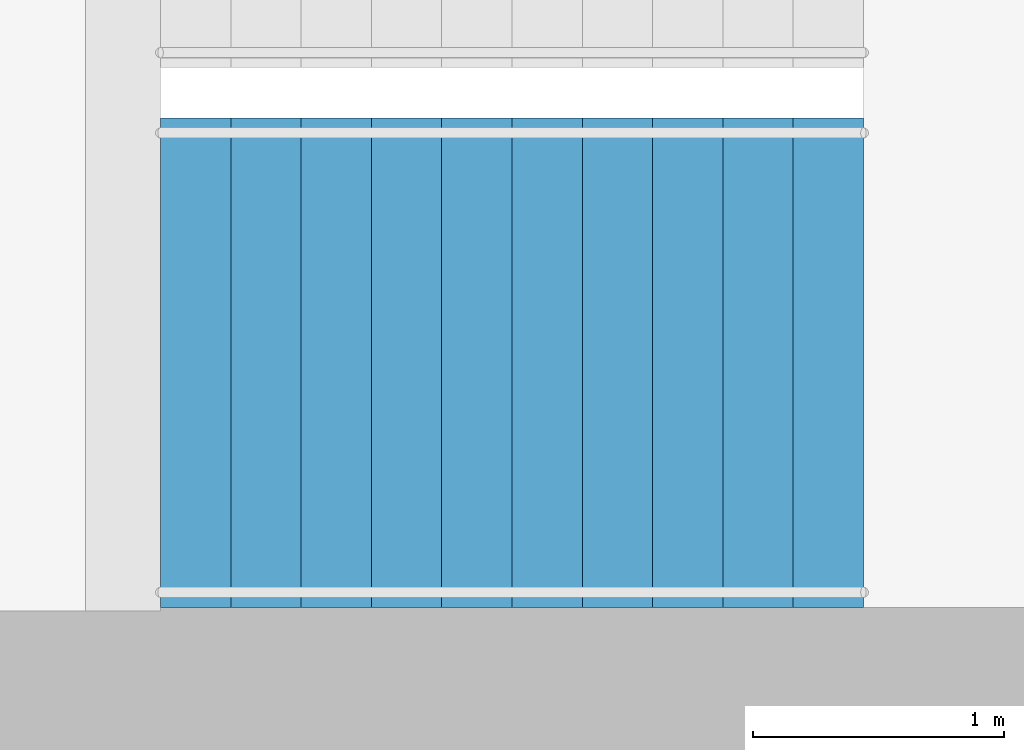
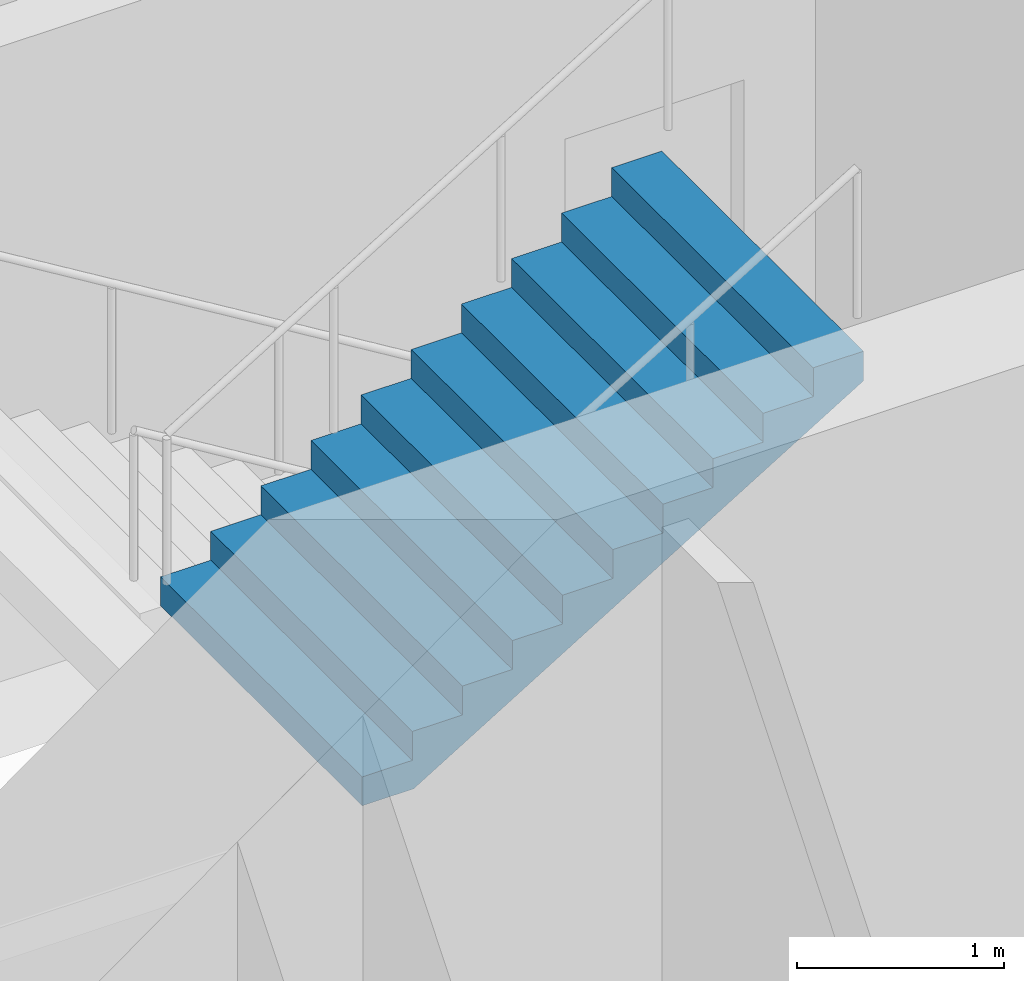
# One storey, part 26 of 28: 1 stair flight, 1 element without a shape of its own.
"""IFC4 building model written with IfcOpenShell, lengths in metres."""

from ifc_helpers import new_model, si_unit, direction, frame, origin, place, context, subcontext, project, spatial, triangles, material, type_object, element, aggregate, save


model = new_model("IFC4")

# Units and contexts
model_context = context("Model", 3, precision=1e-05, world=origin(), true_north=direction((0.0, 1.0)))
body_context = subcontext(model_context, "Body", "Model", "MODEL_VIEW")
ifc_project = project(units=[si_unit("LENGTHUNIT", "METRE"), si_unit("AREAUNIT", "SQUARE_METRE"), si_unit("VOLUMEUNIT", "CUBIC_METRE"), si_unit("PLANEANGLEUNIT", "RADIAN"), si_unit("MASSUNIT", "GRAM", prefix="KILO")], contexts=[model_context])

# Site, building, storey
site_placement = place(None, origin())
site = spatial("IfcSite", under=ifc_project, at=site_placement, CompositionType="ELEMENT")
building_placement = place(site_placement, origin())
building = spatial("IfcBuilding", under=site, at=building_placement, Name="Orbita Commons", CompositionType="ELEMENT")
storey_placement = place(building_placement, frame((0.0, 0.0, 216.550048828125)))
storey = spatial("IfcBuildingStorey", under=building, at=storey_placement, Name="L53", CompositionType="ELEMENT", Elevation=216.550048828125)

# Stair, stair flight
ifc_material_1 = material(Name="Precast concrete C40/50", Category="concrete")
stair_type = type_object("IfcStairType", Name="Exit stair S2 2 flights 11 risers 170", PredefinedType="HALF_TURN_STAIR", material=ifc_material_1)
stair_placement = place(storey_placement, origin())
stair = element("IfcStair", 1, at=stair_placement, inside=storey, type_object=stair_type, Name="Exit stair S2 L53", PredefinedType="HALF_TURN_STAIR")
ifc_material_2 = material(Name="Precast concrete C40/50", Category="concrete")
stair_flight_type = type_object("IfcStairFlightType", Name="Stair flight 11 risers 170 x 280", PredefinedType="STRAIGHT", material=ifc_material_2)
stair_flight_placement = place(storey_placement, frame((60.75, 27.125, 1.875), z_axis=(0.0, 0.0, 1.0), x_axis=(1.0, 0.0, 0.0)))
stair_flight = element("IfcStairFlight", 2, at=stair_flight_placement, type_object=stair_flight_type, Name="S2 flight 2", NumberOfRisers=11, NumberOfTreads=10, PredefinedType="STRAIGHT", RiserHeight=0.170454545, TreadLength=0.28, context=body_context, shape_type="Tessellation", body=[
    triangles([(0.0, 0.974976, 0.0), (0.0, 0.974976, 0.021307), (0.0, 0.81248, 0.021307), (0.0, 0.81248, 0.0), (0.0, 0.649984, 0.021307), (0.0, 0.649984, 0.0), (0.0, 0.487488, 0.021307), (0.0, 0.487488, 0.0), (0.0, 0.324992, 0.021307), (0.0, 0.324992, 0.0), (0.0, 0.162496, 0.021307), (0.0, 0.162496, 0.0), (0.0, 0.0, 0.021307), (0.0, 0.0, 0.0), (0.0, -0.162496, 0.021307), (0.0, -0.162496, 0.0), (0.0, -0.324992, 0.021307), (0.0, -0.324992, 0.0), (0.0, -0.487488, 0.021307), (0.0, -0.487488, 0.0), (0.0, -0.649984, 0.021307), (0.0, -0.649984, 0.0), (0.0, -0.81248, 0.021307), (0.0, -0.81248, 0.0), (0.0, -0.974976, 0.021307), (0.0, -0.974976, 0.0), (0.0, 0.974976, 0.042614), (0.0, 0.81248, 0.042614), (0.0, 0.649984, 0.042614), (0.0, 0.487488, 0.042614), (0.0, 0.324992, 0.042614), (0.0, 0.162496, 0.042614), (0.0, 0.0, 0.042614), (0.0, -0.162496, 0.042614), (0.0, -0.324992, 0.042614), (0.0, -0.487488, 0.042614), (0.0, -0.649984, 0.042614), (0.0, -0.81248, 0.042614), (0.0, -0.974976, 0.042614), (0.0, 0.974976, 0.06392), (0.0, 0.81248, 0.06392), (0.0, 0.649984, 0.06392), (0.0, 0.487488, 0.06392), (0.0, 0.324992, 0.06392), (0.0, 0.162496, 0.06392), (0.0, 0.0, 0.06392), (0.0, -0.162496, 0.06392), (0.0, -0.324992, 0.06392), (0.0, -0.487488, 0.06392), (0.0, -0.649984, 0.06392), (0.0, -0.81248, 0.06392), (0.0, -0.974976, 0.06392), (0.0, 0.974976, 0.085227), (0.0, 0.81248, 0.085227), (0.0, 0.649984, 0.085227), (0.0, 0.487488, 0.085227), (0.0, 0.324992, 0.085227), (0.0, 0.162496, 0.085227), (0.0, 0.0, 0.085227), (0.0, -0.162496, 0.085227), (0.0, -0.324992, 0.085227), (0.0, -0.487488, 0.085227), (0.0, -0.649984, 0.085227), (0.0, -0.81248, 0.085227), (0.0, -0.974976, 0.085227), (0.0, 0.974976, 0.106534), (0.0, 0.81248, 0.106534), (0.0, 0.649984, 0.106534), (0.0, 0.487488, 0.106534), (0.0, 0.324992, 0.106534), (0.0, 0.162496, 0.106534), (0.0, 0.0, 0.106534), (0.0, -0.162496, 0.106534), (0.0, -0.324992, 0.106534), (0.0, -0.487488, 0.106534), (0.0, -0.649984, 0.106534), (0.0, -0.81248, 0.106534), (0.0, -0.974976, 0.106534), (0.0, 0.974976, 0.127841), (0.0, 0.81248, 0.127841), (0.0, 0.649984, 0.127841), (0.0, 0.487488, 0.127841), (0.0, 0.324992, 0.127841), (0.0, 0.162496, 0.127841), (0.0, 0.0, 0.127841), (0.0, -0.162496, 0.127841), (0.0, -0.324992, 0.127841), (0.0, -0.487488, 0.127841), (0.0, -0.649984, 0.127841), (0.0, -0.81248, 0.127841), (0.0, -0.974976, 0.127841), (0.0, 0.974976, 0.149148), (0.0, 0.81248, 0.149148), (0.0, 0.649984, 0.149148), (0.0, 0.487488, 0.149148), (0.0, 0.324992, 0.149148), (0.0, 0.162496, 0.149148), (0.0, 0.0, 0.149148), (0.0, -0.162496, 0.149148), (0.0, -0.324992, 0.149148), (0.0, -0.487488, 0.149148), (0.0, -0.649984, 0.149148), (0.0, -0.81248, 0.149148), (0.0, -0.974976, 0.149148), (0.0, 0.974976, 0.170455), (0.0, 0.81248, 0.170455), (0.0, 0.649984, 0.170455), (0.0, 0.487488, 0.170455), (0.0, 0.324992, 0.170455), (0.0, 0.162496, 0.170455), (0.0, 0.0, 0.170455), (0.0, -0.162496, 0.170455), (0.0, -0.324992, 0.170455), (0.0, -0.487488, 0.170455), (0.0, -0.649984, 0.170455), (0.0, -0.81248, 0.170455), (0.0, -0.974976, 0.170455), (0.28, 0.974976, 0.170455), (0.28, 0.81248, 0.170455), (0.28, 0.649984, 0.170455), (0.28, 0.487488, 0.170455), (0.28, 0.324992, 0.170455), (0.28, 0.162496, 0.170455), (0.28, 0.0, 0.170455), (0.28, -0.162496, 0.170455), (0.28, -0.324992, 0.170455), (0.28, -0.487488, 0.170455), (0.28, -0.649984, 0.170455), (0.28, -0.81248, 0.170455), (0.28, -0.974976, 0.170455), (0.28, 0.974976, 0.340909), (0.28, 0.81248, 0.340909), (0.28, 0.649984, 0.340909), (0.28, 0.487488, 0.340909), (0.28, 0.324992, 0.340909), (0.28, 0.162496, 0.340909), (0.28, 0.0, 0.340909), (0.28, -0.162496, 0.340909), (0.28, -0.324992, 0.340909), (0.28, -0.487488, 0.340909), (0.28, -0.649984, 0.340909), (0.28, -0.81248, 0.340909), (0.28, -0.974976, 0.340909), (0.56, 0.974976, 0.340909), (0.56, 0.81248, 0.340909), (0.56, 0.649984, 0.340909), (0.56, 0.487488, 0.340909), (0.56, 0.324992, 0.340909), (0.56, 0.162496, 0.340909), (0.56, 0.0, 0.340909), (0.56, -0.162496, 0.340909), (0.56, -0.324992, 0.340909), (0.56, -0.487488, 0.340909), (0.56, -0.649984, 0.340909), (0.56, -0.81248, 0.340909), (0.56, -0.974976, 0.340909), (0.56, 0.974976, 0.511364), (0.56, 0.81248, 0.511364), (0.56, 0.649984, 0.511364), (0.56, 0.487488, 0.511364), (0.56, 0.324992, 0.511364), (0.56, 0.162496, 0.511364), (0.56, 0.0, 0.511364), (0.56, -0.162496, 0.511364), (0.56, -0.324992, 0.511364), (0.56, -0.487488, 0.511364), (0.56, -0.649984, 0.511364), (0.56, -0.81248, 0.511364), (0.56, -0.974976, 0.511364), (0.84, 0.974976, 0.511364), (0.84, 0.81248, 0.511364), (0.84, 0.649984, 0.511364), (0.84, 0.487488, 0.511364), (0.84, 0.324992, 0.511364), (0.84, 0.162496, 0.511364), (0.84, 0.0, 0.511364), (0.84, -0.162496, 0.511364), (0.84, -0.324992, 0.511364), (0.84, -0.487488, 0.511364), (0.84, -0.649984, 0.511364), (0.84, -0.81248, 0.511364), (0.84, -0.974976, 0.511364), (0.84, 0.974976, 0.681818), (0.84, 0.81248, 0.681818), (0.84, 0.649984, 0.681818), (0.84, 0.487488, 0.681818), (0.84, 0.324992, 0.681818), (0.84, 0.162496, 0.681818), (0.84, 0.0, 0.681818), (0.84, -0.162496, 0.681818), (0.84, -0.324992, 0.681818), (0.84, -0.487488, 0.681818), (0.84, -0.649984, 0.681818), (0.84, -0.81248, 0.681818), (0.84, -0.974976, 0.681818), (1.12, 0.974976, 0.681818), (1.12, 0.81248, 0.681818), (1.12, 0.649984, 0.681818), (1.12, 0.487488, 0.681818), (1.12, 0.324992, 0.681818), (1.12, 0.162496, 0.681818), (1.12, 0.0, 0.681818), (1.12, -0.162496, 0.681818), (1.12, -0.324992, 0.681818), (1.12, -0.487488, 0.681818), (1.12, -0.649984, 0.681818), (1.12, -0.81248, 0.681818), (1.12, -0.974976, 0.681818), (1.12, 0.974976, 0.852273), (1.12, 0.81248, 0.852273), (1.12, 0.649984, 0.852273), (1.12, 0.487488, 0.852273), (1.12, 0.324992, 0.852273), (1.12, 0.162496, 0.852273), (1.12, 0.0, 0.852273), (1.12, -0.162496, 0.852273), (1.12, -0.324992, 0.852273), (1.12, -0.487488, 0.852273), (1.12, -0.649984, 0.852273), (1.12, -0.81248, 0.852273), (1.12, -0.974976, 0.852273), (1.4, 0.974976, 0.852273), (1.4, 0.81248, 0.852273), (1.4, 0.649984, 0.852273), (1.4, 0.487488, 0.852273), (1.4, 0.324992, 0.852273), (1.4, 0.162496, 0.852273), (1.4, 0.0, 0.852273), (1.4, -0.162496, 0.852273), (1.4, -0.324992, 0.852273), (1.4, -0.487488, 0.852273), (1.4, -0.649984, 0.852273), (1.4, -0.81248, 0.852273), (1.4, -0.974976, 0.852273), (1.4, 0.974976, 1.022727), (1.4, 0.81248, 1.022727), (1.4, 0.649984, 1.022727), (1.4, 0.487488, 1.022727), (1.4, 0.324992, 1.022727), (1.4, 0.162496, 1.022727), (1.4, 0.0, 1.022727), (1.4, -0.162496, 1.022727), (1.4, -0.324992, 1.022727), (1.4, -0.487488, 1.022727), (1.4, -0.649984, 1.022727), (1.4, -0.81248, 1.022727), (1.4, -0.974976, 1.022727), (1.68, 0.974976, 1.022727), (1.68, 0.81248, 1.022727), (1.68, 0.649984, 1.022727), (1.68, 0.487488, 1.022727), (1.68, 0.324992, 1.022727), (1.68, 0.162496, 1.022727), (1.68, 0.0, 1.022727), (1.68, -0.162496, 1.022727), (1.68, -0.324992, 1.022727), (1.68, -0.487488, 1.022727), (1.68, -0.649984, 1.022727), (1.68, -0.81248, 1.022727), (1.68, -0.974976, 1.022727), (1.68, 0.974976, 1.193182), (1.68, 0.81248, 1.193182), (1.68, 0.649984, 1.193182), (1.68, 0.487488, 1.193182), (1.68, 0.324992, 1.193182), (1.68, 0.162496, 1.193182), (1.68, 0.0, 1.193182), (1.68, -0.162496, 1.193182), (1.68, -0.324992, 1.193182), (1.68, -0.487488, 1.193182), (1.68, -0.649984, 1.193182), (1.68, -0.81248, 1.193182), (1.68, -0.974976, 1.193182), (1.96, 0.974976, 1.193182), (1.96, 0.81248, 1.193182), (1.96, 0.649984, 1.193182), (1.96, 0.487488, 1.193182), (1.96, 0.324992, 1.193182), (1.96, 0.162496, 1.193182), (1.96, 0.0, 1.193182), (1.96, -0.162496, 1.193182), (1.96, -0.324992, 1.193182), (1.96, -0.487488, 1.193182), (1.96, -0.649984, 1.193182), (1.96, -0.81248, 1.193182), (1.96, -0.974976, 1.193182), (1.96, 0.974976, 1.363636), (1.96, 0.81248, 1.363636), (1.96, 0.649984, 1.363636), (1.96, 0.487488, 1.363636), (1.96, 0.324992, 1.363636), (1.96, 0.162496, 1.363636), (1.96, 0.0, 1.363636), (1.96, -0.162496, 1.363636), (1.96, -0.324992, 1.363636), (1.96, -0.487488, 1.363636), (1.96, -0.649984, 1.363636), (1.96, -0.81248, 1.363636), (1.96, -0.974976, 1.363636), (2.24, 0.974976, 1.363636), (2.24, 0.81248, 1.363636), (2.24, 0.649984, 1.363636), (2.24, 0.487488, 1.363636), (2.24, 0.324992, 1.363636), (2.24, 0.162496, 1.363636), (2.24, 0.0, 1.363636), (2.24, -0.162496, 1.363636), (2.24, -0.324992, 1.363636), (2.24, -0.487488, 1.363636), (2.24, -0.649984, 1.363636), (2.24, -0.81248, 1.363636), (2.24, -0.974976, 1.363636), (2.24, 0.974976, 1.534091), (2.24, 0.81248, 1.534091), (2.24, 0.649984, 1.534091), (2.24, 0.487488, 1.534091), (2.24, 0.324992, 1.534091), (2.24, 0.162496, 1.534091), (2.24, 0.0, 1.534091), (2.24, -0.162496, 1.534091), (2.24, -0.324992, 1.534091), (2.24, -0.487488, 1.534091), (2.24, -0.649984, 1.534091), (2.24, -0.81248, 1.534091), (2.24, -0.974976, 1.534091), (2.52, 0.974976, 1.534091), (2.52, 0.81248, 1.534091), (2.52, 0.649984, 1.534091), (2.52, 0.487488, 1.534091), (2.52, 0.324992, 1.534091), (2.52, 0.162496, 1.534091), (2.52, 0.0, 1.534091), (2.52, -0.162496, 1.534091), (2.52, -0.324992, 1.534091), (2.52, -0.487488, 1.534091), (2.52, -0.649984, 1.534091), (2.52, -0.81248, 1.534091), (2.52, -0.974976, 1.534091), (2.52, 0.974976, 1.704545), (2.52, 0.81248, 1.704545), (2.52, 0.649984, 1.704545), (2.52, 0.487488, 1.704545), (2.52, 0.324992, 1.704545), (2.52, 0.162496, 1.704545), (2.52, 0.0, 1.704545), (2.52, -0.162496, 1.704545), (2.52, -0.324992, 1.704545), (2.52, -0.487488, 1.704545), (2.52, -0.649984, 1.704545), (2.52, -0.81248, 1.704545), (2.52, -0.974976, 1.704545), (2.8, 0.974976, 1.704545), (2.8, 0.81248, 1.704545), (2.8, 0.649984, 1.704545), (2.8, 0.487488, 1.704545), (2.8, 0.324992, 1.704545), (2.8, 0.162496, 1.704545), (2.8, 0.0, 1.704545), (2.8, -0.162496, 1.704545), (2.8, -0.324992, 1.704545), (2.8, -0.487488, 1.704545), (2.8, -0.649984, 1.704545), (2.8, -0.81248, 1.704545), (2.8, -0.974976, 1.704545), (2.8, 0.974976, 1.682609), (2.8, 0.81248, 1.682609), (2.8, 0.649984, 1.682609), (2.8, 0.487488, 1.682609), (2.8, 0.324992, 1.682609), (2.8, 0.162496, 1.682609), (2.8, 0.0, 1.682609), (2.8, -0.162496, 1.682609), (2.8, -0.324992, 1.682609), (2.8, -0.487488, 1.682609), (2.8, -0.649984, 1.682609), (2.8, -0.81248, 1.682609), (2.8, -0.974976, 1.682609), (2.8, 0.974976, 1.660672), (2.8, 0.81248, 1.660672), (2.8, 0.649984, 1.660672), (2.8, 0.487488, 1.660672), (2.8, 0.324992, 1.660672), (2.8, 0.162496, 1.660672), (2.8, 0.0, 1.660672), (2.8, -0.162496, 1.660672), (2.8, -0.324992, 1.660672), (2.8, -0.487488, 1.660672), (2.8, -0.649984, 1.660672), (2.8, -0.81248, 1.660672), (2.8, -0.974976, 1.660672), (2.8, 0.974976, 1.638735), (2.8, 0.81248, 1.638735), (2.8, 0.649984, 1.638735), (2.8, 0.487488, 1.638735), (2.8, 0.324992, 1.638735), (2.8, 0.162496, 1.638735), (2.8, 0.0, 1.638735), (2.8, -0.162496, 1.638735), (2.8, -0.324992, 1.638735), (2.8, -0.487488, 1.638735), (2.8, -0.649984, 1.638735), (2.8, -0.81248, 1.638735), (2.8, -0.974976, 1.638735), (2.8, 0.974976, 1.616798), (2.8, 0.81248, 1.616798), (2.8, 0.649984, 1.616798), (2.8, 0.487488, 1.616798), (2.8, 0.324992, 1.616798), (2.8, 0.162496, 1.616798), (2.8, 0.0, 1.616798), (2.8, -0.162496, 1.616798), (2.8, -0.324992, 1.616798), (2.8, -0.487488, 1.616798), (2.8, -0.649984, 1.616798), (2.8, -0.81248, 1.616798), (2.8, -0.974976, 1.616798), (2.8, 0.974976, 1.594861), (2.8, 0.81248, 1.594861), (2.8, 0.649984, 1.594861), (2.8, 0.487488, 1.594861), (2.8, 0.324992, 1.594861), (2.8, 0.162496, 1.594861), (2.8, 0.0, 1.594861), (2.8, -0.162496, 1.594861), (2.8, -0.324992, 1.594861), (2.8, -0.487488, 1.594861), (2.8, -0.649984, 1.594861), (2.8, -0.81248, 1.594861), (2.8, -0.974976, 1.594861), (2.8, 0.974976, 1.572925), (2.8, 0.81248, 1.572925), (2.8, 0.649984, 1.572925), (2.8, 0.487488, 1.572925), (2.8, 0.324992, 1.572925), (2.8, 0.162496, 1.572925), (2.8, 0.0, 1.572925), (2.8, -0.162496, 1.572925), (2.8, -0.324992, 1.572925), (2.8, -0.487488, 1.572925), (2.8, -0.649984, 1.572925), (2.8, -0.81248, 1.572925), (2.8, -0.974976, 1.572925), (2.8, 0.974976, 1.550988), (2.8, 0.81248, 1.550988), (2.8, 0.649984, 1.550988), (2.8, 0.487488, 1.550988), (2.8, 0.324992, 1.550988), (2.8, 0.162496, 1.550988), (2.8, 0.0, 1.550988), (2.8, -0.162496, 1.550988), (2.8, -0.324992, 1.550988), (2.8, -0.487488, 1.550988), (2.8, -0.649984, 1.550988), (2.8, -0.81248, 1.550988), (2.8, -0.974976, 1.550988), (2.8, 0.974976, 1.529051), (2.8, 0.81248, 1.529051), (2.8, 0.649984, 1.529051), (2.8, 0.487488, 1.529051), (2.8, 0.324992, 1.529051), (2.8, 0.162496, 1.529051), (2.8, 0.0, 1.529051), (2.8, -0.162496, 1.529051), (2.8, -0.324992, 1.529051), (2.8, -0.487488, 1.529051), (2.8, -0.649984, 1.529051), (2.8, -0.81248, 1.529051), (2.8, -0.974976, 1.529051), (0.288279, 0.974976, 0.0), (0.288279, 0.81248, 0.0), (0.288279, 0.649984, 0.0), (0.288279, 0.487488, 0.0), (0.288279, 0.324992, 0.0), (0.288279, 0.162496, 0.0), (0.288279, 0.0, 0.0), (0.288279, -0.162496, 0.0), (0.288279, -0.324992, 0.0), (0.288279, -0.487488, 0.0), (0.288279, -0.649984, 0.0), (0.288279, -0.81248, 0.0), (0.288279, -0.974976, 0.0)], [[3, 2, 1], [4, 3, 1], [5, 3, 4], [6, 5, 4], [7, 5, 6], [8, 7, 6], [9, 7, 8], [10, 9, 8], [11, 9, 10], [12, 11, 10], [13, 11, 12], [14, 13, 12], [15, 13, 14], [16, 15, 14], [17, 15, 16], [18, 17, 16], [19, 17, 18], [20, 19, 18], [21, 19, 20], [22, 21, 20], [23, 21, 22], [24, 23, 22], [25, 23, 24], [26, 25, 24], [28, 27, 2], [3, 28, 2], [29, 28, 3], [5, 29, 3], [30, 29, 5], [7, 30, 5], [31, 30, 7], [9, 31, 7], [32, 31, 9], [11, 32, 9], [33, 32, 11], [13, 33, 11], [34, 33, 13], [15, 34, 13], [35, 34, 15], [17, 35, 15], [36, 35, 17], [19, 36, 17], [37, 36, 19], [21, 37, 19], [38, 37, 21], [23, 38, 21], [39, 38, 23], [25, 39, 23], [41, 40, 27], [28, 41, 27], [42, 41, 28], [29, 42, 28], [43, 42, 29], [30, 43, 29], [44, 43, 30], [31, 44, 30], [45, 44, 31], [32, 45, 31], [46, 45, 32], [33, 46, 32], [47, 46, 33], [34, 47, 33], [48, 47, 34], [35, 48, 34], [49, 48, 35], [36, 49, 35], [50, 49, 36], [37, 50, 36], [51, 50, 37], [38, 51, 37], [52, 51, 38], [39, 52, 38], [54, 53, 40], [41, 54, 40], [55, 54, 41], [42, 55, 41], [56, 55, 42], [43, 56, 42], [57, 56, 43], [44, 57, 43], [58, 57, 44], [45, 58, 44], [59, 58, 45], [46, 59, 45], [60, 59, 46], [47, 60, 46], [61, 60, 47], [48, 61, 47], [62, 61, 48], [49, 62, 48], [63, 62, 49], [50, 63, 49], [64, 63, 50], [51, 64, 50], [65, 64, 51], [52, 65, 51], [67, 66, 53], [54, 67, 53], [68, 67, 54], [55, 68, 54], [69, 68, 55], [56, 69, 55], [70, 69, 56], [57, 70, 56], [71, 70, 57], [58, 71, 57], [72, 71, 58], [59, 72, 58], [73, 72, 59], [60, 73, 59], [74, 73, 60], [61, 74, 60], [75, 74, 61], [62, 75, 61], [76, 75, 62], [63, 76, 62], [77, 76, 63], [64, 77, 63], [78, 77, 64], [65, 78, 64], [80, 79, 66], [67, 80, 66], [81, 80, 67], [68, 81, 67], [82, 81, 68], [69, 82, 68], [83, 82, 69], [70, 83, 69], [84, 83, 70], [71, 84, 70], [85, 84, 71], [72, 85, 71], [86, 85, 72], [73, 86, 72], [87, 86, 73], [74, 87, 73], [88, 87, 74], [75, 88, 74], [89, 88, 75], [76, 89, 75], [90, 89, 76], [77, 90, 76], [91, 90, 77], [78, 91, 77], [93, 92, 79], [80, 93, 79], [94, 93, 80], [81, 94, 80], [95, 94, 81], [82, 95, 81], [96, 95, 82], [83, 96, 82], [97, 96, 83], [84, 97, 83], [98, 97, 84], [85, 98, 84], [99, 98, 85], [86, 99, 85], [100, 99, 86], [87, 100, 86], [101, 100, 87], [88, 101, 87], [102, 101, 88], [89, 102, 88], [103, 102, 89], [90, 103, 89], [104, 103, 90], [91, 104, 90], [106, 105, 92], [93, 106, 92], [107, 106, 93], [94, 107, 93], [108, 107, 94], [95, 108, 94], [109, 108, 95], [96, 109, 95], [110, 109, 96], [97, 110, 96], [111, 110, 97], [98, 111, 97], [112, 111, 98], [99, 112, 98], [113, 112, 99], [100, 113, 99], [114, 113, 100], [101, 114, 100], [115, 114, 101], [102, 115, 101], [116, 115, 102], [103, 116, 102], [117, 116, 103], [104, 117, 103], [119, 118, 105], [106, 119, 105], [120, 119, 106], [107, 120, 106], [121, 120, 107], [108, 121, 107], [122, 121, 108], [109, 122, 108], [123, 122, 109], [110, 123, 109], [124, 123, 110], [111, 124, 110], [125, 124, 111], [112, 125, 111], [126, 125, 112], [113, 126, 112], [127, 126, 113], [114, 127, 113], [128, 127, 114], [115, 128, 114], [129, 128, 115], [116, 129, 115], [130, 129, 116], [117, 130, 116], [132, 131, 118], [119, 132, 118], [133, 132, 119], [120, 133, 119], [134, 133, 120], [121, 134, 120], [135, 134, 121], [122, 135, 121], [136, 135, 122], [123, 136, 122], [137, 136, 123], [124, 137, 123], [138, 137, 124], [125, 138, 124], [139, 138, 125], [126, 139, 125], [140, 139, 126], [127, 140, 126], [141, 140, 127], [128, 141, 127], [142, 141, 128], [129, 142, 128], [143, 142, 129], [130, 143, 129], [145, 144, 131], [132, 145, 131], [146, 145, 132], [133, 146, 132], [147, 146, 133], [134, 147, 133], [148, 147, 134], [135, 148, 134], [149, 148, 135], [136, 149, 135], [150, 149, 136], [137, 150, 136], [151, 150, 137], [138, 151, 137], [152, 151, 138], [139, 152, 138], [153, 152, 139], [140, 153, 139], [154, 153, 140], [141, 154, 140], [155, 154, 141], [142, 155, 141], [156, 155, 142], [143, 156, 142], [158, 157, 144], [145, 158, 144], [159, 158, 145], [146, 159, 145], [160, 159, 146], [147, 160, 146], [161, 160, 147], [148, 161, 147], [162, 161, 148], [149, 162, 148], [163, 162, 149], [150, 163, 149], [164, 163, 150], [151, 164, 150], [165, 164, 151], [152, 165, 151], [166, 165, 152], [153, 166, 152], [167, 166, 153], [154, 167, 153], [168, 167, 154], [155, 168, 154], [169, 168, 155], [156, 169, 155], [171, 170, 157], [158, 171, 157], [172, 171, 158], [159, 172, 158], [173, 172, 159], [160, 173, 159], [174, 173, 160], [161, 174, 160], [175, 174, 161], [162, 175, 161], [176, 175, 162], [163, 176, 162], [177, 176, 163], [164, 177, 163], [178, 177, 164], [165, 178, 164], [179, 178, 165], [166, 179, 165], [180, 179, 166], [167, 180, 166], [181, 180, 167], [168, 181, 167], [182, 181, 168], [169, 182, 168], [184, 183, 170], [171, 184, 170], [185, 184, 171], [172, 185, 171], [186, 185, 172], [173, 186, 172], [187, 186, 173], [174, 187, 173], [188, 187, 174], [175, 188, 174], [189, 188, 175], [176, 189, 175], [190, 189, 176], [177, 190, 176], [191, 190, 177], [178, 191, 177], [192, 191, 178], [179, 192, 178], [193, 192, 179], [180, 193, 179], [194, 193, 180], [181, 194, 180], [195, 194, 181], [182, 195, 181], [197, 196, 183], [184, 197, 183], [198, 197, 184], [185, 198, 184], [199, 198, 185], [186, 199, 185], [200, 199, 186], [187, 200, 186], [201, 200, 187], [188, 201, 187], [202, 201, 188], [189, 202, 188], [203, 202, 189], [190, 203, 189], [204, 203, 190], [191, 204, 190], [205, 204, 191], [192, 205, 191], [206, 205, 192], [193, 206, 192], [207, 206, 193], [194, 207, 193], [208, 207, 194], [195, 208, 194], [210, 209, 196], [197, 210, 196], [211, 210, 197], [198, 211, 197], [212, 211, 198], [199, 212, 198], [213, 212, 199], [200, 213, 199], [214, 213, 200], [201, 214, 200], [215, 214, 201], [202, 215, 201], [216, 215, 202], [203, 216, 202], [217, 216, 203], [204, 217, 203], [218, 217, 204], [205, 218, 204], [219, 218, 205], [206, 219, 205], [220, 219, 206], [207, 220, 206], [221, 220, 207], [208, 221, 207], [223, 222, 209], [210, 223, 209], [224, 223, 210], [211, 224, 210], [225, 224, 211], [212, 225, 211], [226, 225, 212], [213, 226, 212], [227, 226, 213], [214, 227, 213], [228, 227, 214], [215, 228, 214], [229, 228, 215], [216, 229, 215], [230, 229, 216], [217, 230, 216], [231, 230, 217], [218, 231, 217], [232, 231, 218], [219, 232, 218], [233, 232, 219], [220, 233, 219], [234, 233, 220], [221, 234, 220], [236, 235, 222], [223, 236, 222], [237, 236, 223], [224, 237, 223], [238, 237, 224], [225, 238, 224], [239, 238, 225], [226, 239, 225], [240, 239, 226], [227, 240, 226], [241, 240, 227], [228, 241, 227], [242, 241, 228], [229, 242, 228], [243, 242, 229], [230, 243, 229], [244, 243, 230], [231, 244, 230], [245, 244, 231], [232, 245, 231], [246, 245, 232], [233, 246, 232], [247, 246, 233], [234, 247, 233], [249, 248, 235], [236, 249, 235], [250, 249, 236], [237, 250, 236], [251, 250, 237], [238, 251, 237], [252, 251, 238], [239, 252, 238], [253, 252, 239], [240, 253, 239], [254, 253, 240], [241, 254, 240], [255, 254, 241], [242, 255, 241], [256, 255, 242], [243, 256, 242], [257, 256, 243], [244, 257, 243], [258, 257, 244], [245, 258, 244], [259, 258, 245], [246, 259, 245], [260, 259, 246], [247, 260, 246], [262, 261, 248], [249, 262, 248], [263, 262, 249], [250, 263, 249], [264, 263, 250], [251, 264, 250], [265, 264, 251], [252, 265, 251], [266, 265, 252], [253, 266, 252], [267, 266, 253], [254, 267, 253], [268, 267, 254], [255, 268, 254], [269, 268, 255], [256, 269, 255], [270, 269, 256], [257, 270, 256], [271, 270, 257], [258, 271, 257], [272, 271, 258], [259, 272, 258], [273, 272, 259], [260, 273, 259], [275, 274, 261], [262, 275, 261], [276, 275, 262], [263, 276, 262], [277, 276, 263], [264, 277, 263], [278, 277, 264], [265, 278, 264], [279, 278, 265], [266, 279, 265], [280, 279, 266], [267, 280, 266], [281, 280, 267], [268, 281, 267], [282, 281, 268], [269, 282, 268], [283, 282, 269], [270, 283, 269], [284, 283, 270], [271, 284, 270], [285, 284, 271], [272, 285, 271], [286, 285, 272], [273, 286, 272], [288, 287, 274], [275, 288, 274], [289, 288, 275], [276, 289, 275], [290, 289, 276], [277, 290, 276], [291, 290, 277], [278, 291, 277], [292, 291, 278], [279, 292, 278], [293, 292, 279], [280, 293, 279], [294, 293, 280], [281, 294, 280], [295, 294, 281], [282, 295, 281], [296, 295, 282], [283, 296, 282], [297, 296, 283], [284, 297, 283], [298, 297, 284], [285, 298, 284], [299, 298, 285], [286, 299, 285], [301, 300, 287], [288, 301, 287], [302, 301, 288], [289, 302, 288], [303, 302, 289], [290, 303, 289], [304, 303, 290], [291, 304, 290], [305, 304, 291], [292, 305, 291], [306, 305, 292], [293, 306, 292], [307, 306, 293], [294, 307, 293], [308, 307, 294], [295, 308, 294], [309, 308, 295], [296, 309, 295], [310, 309, 296], [297, 310, 296], [311, 310, 297], [298, 311, 297], [312, 311, 298], [299, 312, 298], [314, 313, 300], [301, 314, 300], [315, 314, 301], [302, 315, 301], [316, 315, 302], [303, 316, 302], [317, 316, 303], [304, 317, 303], [318, 317, 304], [305, 318, 304], [319, 318, 305], [306, 319, 305], [320, 319, 306], [307, 320, 306], [321, 320, 307], [308, 321, 307], [322, 321, 308], [309, 322, 308], [323, 322, 309], [310, 323, 309], [324, 323, 310], [311, 324, 310], [325, 324, 311], [312, 325, 311], [327, 326, 313], [314, 327, 313], [328, 327, 314], [315, 328, 314], [329, 328, 315], [316, 329, 315], [330, 329, 316], [317, 330, 316], [331, 330, 317], [318, 331, 317], [332, 331, 318], [319, 332, 318], [333, 332, 319], [320, 333, 319], [334, 333, 320], [321, 334, 320], [335, 334, 321], [322, 335, 321], [336, 335, 322], [323, 336, 322], [337, 336, 323], [324, 337, 323], [338, 337, 324], [325, 338, 324], [340, 339, 326], [327, 340, 326], [341, 340, 327], [328, 341, 327], [342, 341, 328], [329, 342, 328], [343, 342, 329], [330, 343, 329], [344, 343, 330], [331, 344, 330], [345, 344, 331], [332, 345, 331], [346, 345, 332], [333, 346, 332], [347, 346, 333], [334, 347, 333], [348, 347, 334], [335, 348, 334], [349, 348, 335], [336, 349, 335], [350, 349, 336], [337, 350, 336], [351, 350, 337], [338, 351, 337], [353, 352, 339], [340, 353, 339], [354, 353, 340], [341, 354, 340], [355, 354, 341], [342, 355, 341], [356, 355, 342], [343, 356, 342], [357, 356, 343], [344, 357, 343], [358, 357, 344], [345, 358, 344], [359, 358, 345], [346, 359, 345], [360, 359, 346], [347, 360, 346], [361, 360, 347], [348, 361, 347], [362, 361, 348], [349, 362, 348], [363, 362, 349], [350, 363, 349], [364, 363, 350], [351, 364, 350], [366, 365, 352], [353, 366, 352], [367, 366, 353], [354, 367, 353], [368, 367, 354], [355, 368, 354], [369, 368, 355], [356, 369, 355], [370, 369, 356], [357, 370, 356], [371, 370, 357], [358, 371, 357], [372, 371, 358], [359, 372, 358], [373, 372, 359], [360, 373, 359], [374, 373, 360], [361, 374, 360], [375, 374, 361], [362, 375, 361], [376, 375, 362], [363, 376, 362], [377, 376, 363], [364, 377, 363], [379, 378, 365], [366, 379, 365], [380, 379, 366], [367, 380, 366], [381, 380, 367], [368, 381, 367], [382, 381, 368], [369, 382, 368], [383, 382, 369], [370, 383, 369], [384, 383, 370], [371, 384, 370], [385, 384, 371], [372, 385, 371], [386, 385, 372], [373, 386, 372], [387, 386, 373], [374, 387, 373], [388, 387, 374], [375, 388, 374], [389, 388, 375], [376, 389, 375], [390, 389, 376], [377, 390, 376], [392, 391, 378], [379, 392, 378], [393, 392, 379], [380, 393, 379], [394, 393, 380], [381, 394, 380], [395, 394, 381], [382, 395, 381], [396, 395, 382], [383, 396, 382], [397, 396, 383], [384, 397, 383], [398, 397, 384], [385, 398, 384], [399, 398, 385], [386, 399, 385], [400, 399, 386], [387, 400, 386], [401, 400, 387], [388, 401, 387], [402, 401, 388], [389, 402, 388], [403, 402, 389], [390, 403, 389], [405, 404, 391], [392, 405, 391], [406, 405, 392], [393, 406, 392], [407, 406, 393], [394, 407, 393], [408, 407, 394], [395, 408, 394], [409, 408, 395], [396, 409, 395], [410, 409, 396], [397, 410, 396], [411, 410, 397], [398, 411, 397], [412, 411, 398], [399, 412, 398], [413, 412, 399], [400, 413, 399], [414, 413, 400], [401, 414, 400], [415, 414, 401], [402, 415, 401], [416, 415, 402], [403, 416, 402], [418, 417, 404], [405, 418, 404], [419, 418, 405], [406, 419, 405], [420, 419, 406], [407, 420, 406], [421, 420, 407], [408, 421, 407], [422, 421, 408], [409, 422, 408], [423, 422, 409], [410, 423, 409], [424, 423, 410], [411, 424, 410], [425, 424, 411], [412, 425, 411], [426, 425, 412], [413, 426, 412], [427, 426, 413], [414, 427, 413], [428, 427, 414], [415, 428, 414], [429, 428, 415], [416, 429, 415], [431, 430, 417], [418, 431, 417], [432, 431, 418], [419, 432, 418], [433, 432, 419], [420, 433, 419], [434, 433, 420], [421, 434, 420], [435, 434, 421], [422, 435, 421], [436, 435, 422], [423, 436, 422], [437, 436, 423], [424, 437, 423], [438, 437, 424], [425, 438, 424], [439, 438, 425], [426, 439, 425], [440, 439, 426], [427, 440, 426], [441, 440, 427], [428, 441, 427], [442, 441, 428], [429, 442, 428], [444, 443, 430], [431, 444, 430], [445, 444, 431], [432, 445, 431], [446, 445, 432], [433, 446, 432], [447, 446, 433], [434, 447, 433], [448, 447, 434], [435, 448, 434], [449, 448, 435], [436, 449, 435], [450, 449, 436], [437, 450, 436], [451, 450, 437], [438, 451, 437], [452, 451, 438], [439, 452, 438], [453, 452, 439], [440, 453, 439], [454, 453, 440], [441, 454, 440], [455, 454, 441], [442, 455, 441], [457, 456, 443], [444, 457, 443], [458, 457, 444], [445, 458, 444], [459, 458, 445], [446, 459, 445], [460, 459, 446], [447, 460, 446], [461, 460, 447], [448, 461, 447], [462, 461, 448], [449, 462, 448], [463, 462, 449], [450, 463, 449], [464, 463, 450], [451, 464, 450], [465, 464, 451], [452, 465, 451], [466, 465, 452], [453, 466, 452], [467, 466, 453], [454, 467, 453], [468, 467, 454], [455, 468, 454], [470, 469, 456], [457, 470, 456], [471, 470, 457], [458, 471, 457], [472, 471, 458], [459, 472, 458], [473, 472, 459], [460, 473, 459], [474, 473, 460], [461, 474, 460], [475, 474, 461], [462, 475, 461], [476, 475, 462], [463, 476, 462], [477, 476, 463], [464, 477, 463], [478, 477, 464], [465, 478, 464], [479, 478, 465], [466, 479, 465], [480, 479, 466], [467, 480, 466], [481, 480, 467], [468, 481, 467], [4, 1, 469], [470, 4, 469], [6, 4, 470], [471, 6, 470], [8, 6, 471], [472, 8, 471], [10, 8, 472], [473, 10, 472], [12, 10, 473], [474, 12, 473], [14, 12, 474], [475, 14, 474], [16, 14, 475], [476, 16, 475], [18, 16, 476], [477, 18, 476], [20, 18, 477], [478, 20, 477], [22, 20, 478], [479, 22, 478], [24, 22, 479], [480, 24, 479], [26, 24, 480], [481, 26, 480], [456, 469, 1], [26, 481, 468], [443, 456, 1], [26, 468, 455], [430, 443, 1], [26, 455, 442], [417, 430, 1], [26, 442, 429], [404, 417, 1], [26, 429, 416], [391, 404, 1], [26, 416, 403], [378, 391, 1], [26, 403, 390], [365, 378, 1], [26, 390, 377], [339, 352, 365], [377, 364, 351], [326, 339, 365], [377, 351, 338], [300, 313, 326], [338, 325, 312], [300, 326, 365], [377, 338, 312], [274, 287, 300], [312, 299, 286], [274, 300, 365], [377, 312, 286], [248, 261, 274], [286, 273, 260], [248, 274, 365], [377, 286, 260], [222, 235, 248], [260, 247, 234], [222, 248, 365], [377, 260, 234], [196, 209, 222], [234, 221, 208], [196, 222, 365], [377, 234, 208], [170, 183, 196], [208, 195, 182], [170, 196, 365], [377, 208, 182], [144, 157, 170], [182, 169, 156], [144, 170, 365], [377, 182, 156], [118, 131, 144], [156, 143, 130], [118, 144, 365], [377, 156, 130], [118, 365, 1], [26, 377, 130], [92, 105, 118], [130, 117, 104], [79, 92, 118], [130, 104, 91], [66, 79, 118], [130, 91, 78], [53, 66, 118], [130, 78, 65], [40, 53, 118], [130, 65, 52], [27, 40, 118], [130, 52, 39], [2, 27, 118], [130, 39, 25], [1, 2, 118], [130, 25, 26]], closed=True),
])
aggregate(stair, [stair_flight])

save(model, "model.ifc")
